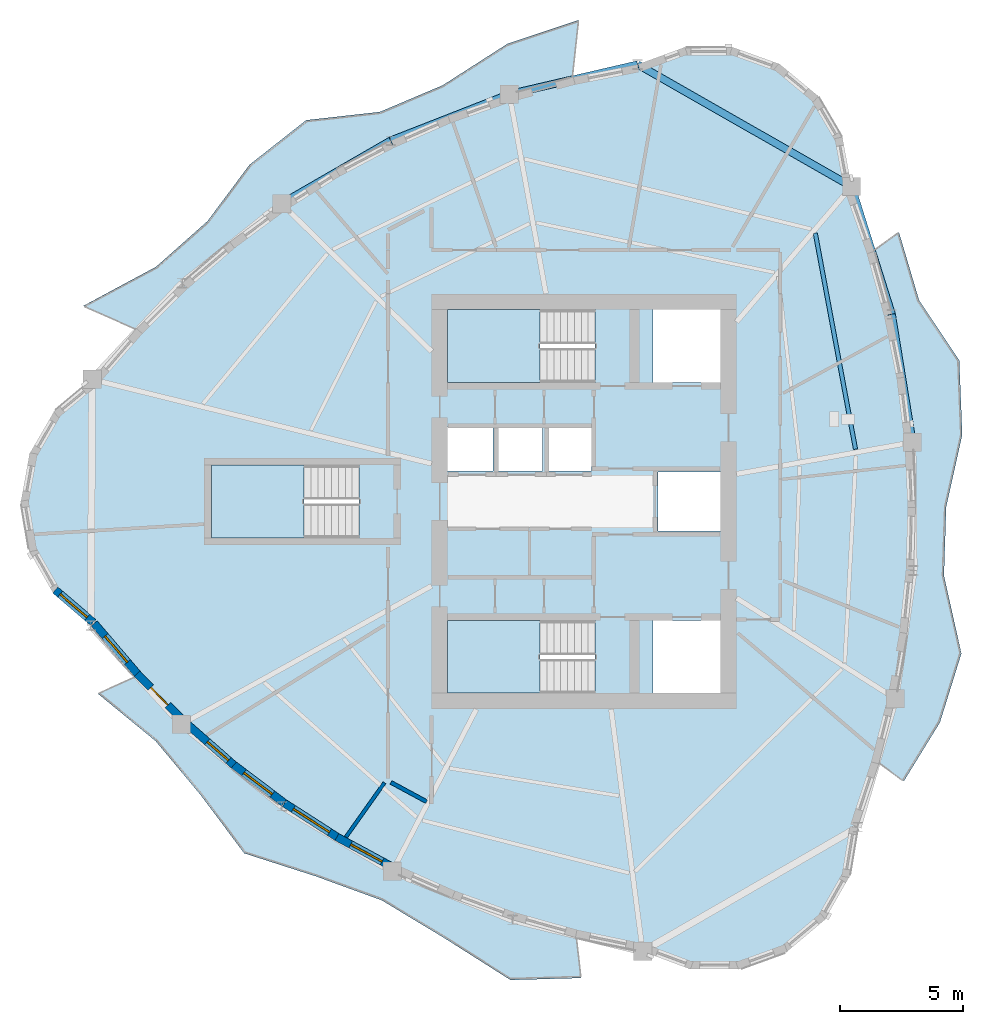
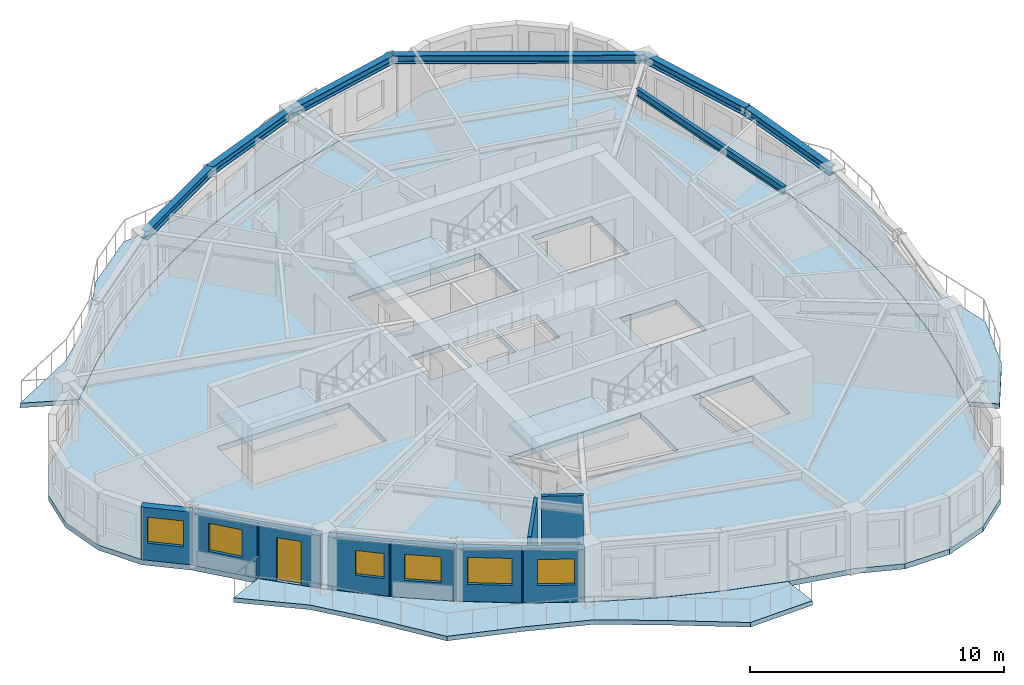
# One storey, part 2 of 12: 9 walls, 7 beams, 7 slabs, 6 windows, 1 door, 7 openings, 3 elements without a shape of their own.
"""IFC4 building model written with IfcOpenShell, lengths in metres."""

from ifc_helpers import new_model, si_unit, direction, frame, frame_2d, origin, origin_2d, place, context, subcontext, project, spatial, polyline, rectangle, i_section, outline, extrude, source, transform, mapped, material, layer, layer_set, material_profile, profile_set, type_object, element, fill, aggregate, save


model = new_model("IFC4")

# Units and contexts
model_context = context("Model", 3, precision=1e-05, world=origin(), true_north=direction((0.0, 1.0)))
body_context = subcontext(model_context, "Body", "Model", "MODEL_VIEW")
ifc_project = project(units=[si_unit("LENGTHUNIT", "METRE"), si_unit("AREAUNIT", "SQUARE_METRE"), si_unit("VOLUMEUNIT", "CUBIC_METRE"), si_unit("PLANEANGLEUNIT", "RADIAN"), si_unit("MASSUNIT", "GRAM", prefix="KILO")], contexts=[model_context])

# Site, building, storey
site_placement = place(None, origin())
site = spatial("IfcSite", under=ifc_project, at=site_placement, CompositionType="ELEMENT")
building_placement = place(site_placement, origin())
building = spatial("IfcBuilding", under=site, at=building_placement, Name="Qafzar Sky-Pleat Residences", CompositionType="ELEMENT")
storey_placement = place(building_placement, frame((0.0, 0.0, 181.0)))
storey = spatial("IfcBuildingStorey", under=building, at=storey_placement, Name="L54", CompositionType="ELEMENT", Elevation=181.0)

# Beams
ifc_material_1 = material(Name="Steel S355", Category="steel")
ifc_material_profile_1 = material_profile(ifc_material_1, i_section(OverallWidth=0.300048828125, OverallDepth=0.39990234375, WebThickness=0.013427734375, FlangeThickness=0.02392578125, FilletRadius=0.027099609375, at=origin_2d()), Name="HEB 400")
ifc_profile_set_1 = profile_set([ifc_material_profile_1], Name="Steel S355")
beam_type_1 = type_object("IfcBeamType", Name="BM-SPAN-HEB400", PredefinedType="SPANDREL", material=ifc_profile_set_1)
shared_shape_1 = source(origin(), body_context, "Body", "SweptSolid", [
    extrude(i_section(OverallWidth=0.300048828125, OverallDepth=0.39990234375, WebThickness=0.013427734375, FlangeThickness=0.02392578125, FilletRadius=0.027099609375, at=origin_2d()), origin(), (0.0, 0.0, 1.0), 10.017578125),
])
beam_1_placement = place(storey_placement, frame((41.22900390625, 38.8125, 2.748046875), z_axis=(-0.86844553877, 0.495784576394, 0.0), x_axis=(-0.495784576394, -0.86844553877, 0.0)))
element("IfcBeam", 1, at=beam_1_placement, inside=storey, type_object=beam_type_1, Name="L54 Perimeter Spandrel Beam 13", PredefinedType="SPANDREL", context=body_context, shape_type="MappedRepresentation", body=[
    mapped(shared_shape_1, transform((0.0, 0.0, 0.0), x_axis=(1.0, 0.0, 0.0), y_axis=(0.0, 1.0, 0.0), z_axis=(0.0, 0.0, 1.0), scale=1.0)),
])
shared_shape_2 = source(origin(), body_context, "Body", "SweptSolid", [
    extrude(i_section(OverallWidth=0.300048828125, OverallDepth=0.39990234375, WebThickness=0.013427734375, FlangeThickness=0.02392578125, FilletRadius=0.027099609375, at=origin_2d()), origin(), (0.0, 0.0, 1.0), 5.27294921875),
])
beam_2_placement = place(storey_placement, frame((43.70751953125, 28.410400390625, 2.748046875), z_axis=(-0.159877284529, 0.987136897239, 0.0), x_axis=(-0.987136897239, -0.159877284529, 0.0)))
element("IfcBeam", 2, at=beam_2_placement, inside=storey, type_object=beam_type_1, Name="L54 Perimeter Spandrel Beam 11", PredefinedType="SPANDREL", context=body_context, shape_type="MappedRepresentation", body=[
    mapped(shared_shape_2, transform((0.0, 0.0, 0.0), x_axis=(1.0, 0.0, 0.0), y_axis=(0.0, 1.0, 0.0), z_axis=(0.0, 0.0, 1.0), scale=1.0)),
])
shared_shape_3 = source(origin(), body_context, "Body", "SweptSolid", [
    extrude(i_section(OverallWidth=0.300048828125, OverallDepth=0.39990234375, WebThickness=0.013427734375, FlangeThickness=0.02392578125, FilletRadius=0.027099609375, at=origin_2d()), origin(), (0.0, 0.0, 1.0), 5.4482421875),
])
beam_3_placement = place(storey_placement, frame((42.864501953125, 33.615478515625, 2.748046875), z_axis=(-0.300185458928, 0.95388085747, 0.0), x_axis=(-0.95388085747, -0.300185458928, 0.0)))
element("IfcBeam", 3, at=beam_3_placement, inside=storey, type_object=beam_type_1, Name="L54 Perimeter Spandrel Beam 12", PredefinedType="SPANDREL", context=body_context, shape_type="MappedRepresentation", body=[
    mapped(shared_shape_3, transform((0.0, 0.0, 0.0), x_axis=(1.0, 0.0, 0.0), y_axis=(0.0, 1.0, 0.0), z_axis=(0.0, 0.0, 1.0), scale=1.0)),
])
shared_shape_4 = source(origin(), body_context, "Body", "SweptSolid", [
    extrude(i_section(OverallWidth=0.300048828125, OverallDepth=0.39990234375, WebThickness=0.013427734375, FlangeThickness=0.02392578125, FilletRadius=0.027099609375, at=origin_2d()), origin(), (0.0, 0.0, 1.0), 5.356201171875),
])
beam_4_placement = place(storey_placement, frame((32.529296875, 43.779052734375, 2.748046875), z_axis=(-0.974013405705, -0.226490365153, 0.0), x_axis=(0.226490365153, -0.974013405705, 0.0)))
element("IfcBeam", 4, at=beam_4_placement, inside=storey, type_object=beam_type_1, Name="L54 Perimeter Spandrel Beam 14", PredefinedType="SPANDREL", context=body_context, shape_type="MappedRepresentation", body=[
    mapped(shared_shape_4, transform((0.0, 0.0, 0.0), x_axis=(1.0, 0.0, 0.0), y_axis=(0.0, 1.0, 0.0), z_axis=(0.0, 0.0, 1.0), scale=1.0)),
])
shared_shape_5 = source(origin(), body_context, "Body", "SweptSolid", [
    extrude(i_section(OverallWidth=0.300048828125, OverallDepth=0.39990234375, WebThickness=0.013427734375, FlangeThickness=0.02392578125, FilletRadius=0.027099609375, at=origin_2d()), origin(), (0.0, 0.0, 1.0), 5.183837890625),
])
beam_5_placement = place(storey_placement, frame((27.312255859375, 42.56591796875, 2.748046875), z_axis=(-0.931323360566, -0.36419335258, 0.0), x_axis=(0.36419335258, -0.931323360566, 0.0)))
element("IfcBeam", 5, at=beam_5_placement, inside=storey, type_object=beam_type_1, Name="L54 Perimeter Spandrel Beam 15", PredefinedType="SPANDREL", context=body_context, shape_type="MappedRepresentation", body=[
    mapped(shared_shape_5, transform((0.0, 0.0, 0.0), x_axis=(1.0, 0.0, 0.0), y_axis=(0.0, 1.0, 0.0), z_axis=(0.0, 0.0, 1.0), scale=1.0)),
])
shared_shape_6 = source(origin(), body_context, "Body", "SweptSolid", [
    extrude(i_section(OverallWidth=0.300048828125, OverallDepth=0.39990234375, WebThickness=0.013427734375, FlangeThickness=0.02392578125, FilletRadius=0.027099609375, at=origin_2d()), origin(), (0.0, 0.0, 1.0), 5.124755859375),
])
beam_6_placement = place(storey_placement, frame((22.484375, 40.677978515625, 2.748046875), z_axis=(-0.866038823222, -0.499976756132, 0.0), x_axis=(0.499976756132, -0.866038823222, 0.0)))
element("IfcBeam", 6, at=beam_6_placement, inside=storey, type_object=beam_type_1, Name="L54 Perimeter Spandrel Beam 16", PredefinedType="SPANDREL", context=body_context, shape_type="MappedRepresentation", body=[
    mapped(shared_shape_6, transform((0.0, 0.0, 0.0), x_axis=(1.0, 0.0, 0.0), y_axis=(0.0, 1.0, 0.0), z_axis=(0.0, 0.0, 1.0), scale=1.0)),
])
ifc_material_profile_2 = material_profile(ifc_material_1, i_section(OverallWidth=0.169921875, OverallDepth=0.360107421875, WebThickness=0.008056640625, FlangeThickness=0.0126953125, FilletRadius=0.01806640625, at=origin_2d()), Name="IPE 360")
ifc_profile_set_2 = profile_set([ifc_material_profile_2], Name="Steel S355")
beam_type_2 = type_object("IfcBeamType", Name="BM-JST-IPE360", PredefinedType="JOIST", material=ifc_profile_set_2)
shared_shape_7 = source(origin(), body_context, "Body", "SweptSolid", [
    extrude(i_section(OverallWidth=0.169921875, OverallDepth=0.360107421875, WebThickness=0.008056640625, FlangeThickness=0.0126953125, FilletRadius=0.01806640625, at=origin_2d()), origin(), (0.0, 0.0, 1.0), 8.9375),
])
beam_7_placement = place(storey_placement, frame((41.392333984375, 28.1298828125, 2.76806640625), z_axis=(-0.183018436338, 0.983109481167, 0.0), x_axis=(-0.983109481167, -0.183018436338, 0.0)))
element("IfcBeam", 7, at=beam_7_placement, inside=storey, type_object=beam_type_2, Name="L54 Outer Secondary Floor Joist 6", PredefinedType="JOIST", context=body_context, shape_type="MappedRepresentation", body=[
    mapped(shared_shape_7, transform((0.0, 0.0, 0.0), x_axis=(1.0, 0.0, 0.0), y_axis=(0.0, 1.0, 0.0), z_axis=(0.0, 0.0, 1.0), scale=1.0)),
])

# Slabs
ifc_material_2 = material(Name="Concrete C40/50", Category="concrete")
ifc_layer_1 = layer(ifc_material_2, 0.219970703125)
ifc_layer_set_1 = layer_set([ifc_layer_1], Name="Concrete C40/50")
slab_type_1 = type_object("IfcSlabType", Name="SLAB-BAL-220", PredefinedType="USERDEFINED", material=ifc_layer_set_1)
slab_1_placement = place(storey_placement, frame((0.0, 0.0, -0.219970703125)))
element("IfcSlab", 8, at=slab_1_placement, inside=storey, type_object=slab_type_1, Name="L54 Pleated Stone Balcony 1", ObjectType="BALCONY", PredefinedType="USERDEFINED", context=body_context, shape_type="SweptSolid", body=[
    extrude(outline(polyline([(43.027099609375, 17.9716796875), (43.497802734375, 20.58447265625), (43.77001953125, 23.195556640625), (43.843994140625, 25.804931640625), (43.719482421875, 28.412109375), (43.396484375, 31.017578125), (42.875, 33.620849609375), (42.155517578125, 36.221923828125), (43.1591796875, 36.94677734375), (43.976806640625, 34.185302734375), (45.612548828125, 31.73974609375), (45.73388671875, 28.72119140625), (45.081787109375, 25.78955078125), (44.989013671875, 22.978759765625), (45.697998046875, 19.815673828125), (44.82470703125, 17.011474609375), (43.352783203125, 14.619873046875), (42.358154296875, 15.357177734375), (43.027099609375, 17.9716796875)])), origin(), (0.0, 0.0, 1.0), 0.219970703125),
])
slab_2_placement = place(storey_placement, frame((0.0, 0.0, -0.219970703125)))
element("IfcSlab", 9, at=slab_2_placement, inside=storey, type_object=slab_type_1, Name="L54 Pleated Stone Balcony 2", ObjectType="BALCONY", PredefinedType="USERDEFINED", context=body_context, shape_type="SweptSolid", body=[
    extrude(outline(polyline([(27.311767578125, 42.577880859375), (24.84716796875, 41.71826171875), (22.480224609375, 40.689208984375), (20.210693359375, 39.49169921875), (18.03857421875, 38.125), (15.964111328125, 36.58935546875), (13.9873046875, 34.885009765625), (12.108154296875, 33.011962890625), (9.9755859375, 33.952880859375), (12.941650390625, 35.548095703125), (15.03466796875, 37.4072265625), (16.744873046875, 39.69970703125), (19.045166015625, 41.510009765625), (22.044677734375, 41.84814453125), (24.603759765625, 42.931884765625), (27.227294921875, 44.614013671875), (30.124755859375, 45.586181640625), (29.873291015625, 43.268798828125), (27.311767578125, 42.577880859375)])), origin(), (0.0, 0.0, 1.0), 0.219970703125),
])
slab_3_placement = place(storey_placement, frame((0.0, 0.0, -0.219970703125)))
element("IfcSlab", 10, at=slab_3_placement, inside=storey, type_object=slab_type_1, Name="L54 Pleated Stone Balcony 3", ObjectType="BALCONY", PredefinedType="USERDEFINED", context=body_context, shape_type="SweptSolid", body=[
    extrude(outline(polyline([(13.962646484375, 16.92822265625), (15.95654296875, 15.175048828125), (18.05126953125, 13.5927734375), (20.2470703125, 12.18115234375), (22.543701171875, 10.940673828125), (24.941162109375, 9.870849609375), (27.439208984375, 8.971923828125), (30.037841796875, 8.243896484375), (30.224609375, 6.61669921875), (27.35888671875, 6.535400390625), (24.635986328125, 8.26171875), (22.121826171875, 9.776611328125), (19.445556640625, 10.752685546875), (16.526123046875, 11.690673828125), (14.73828125, 14.080078125), (12.9228515625, 16.256103515625), (10.5751953125, 18.181396484375), (12.06982421875, 18.851806640625), (13.962646484375, 16.92822265625)])), origin(), (0.0, 0.0, 1.0), 0.219970703125),
])
ifc_layer_2 = layer(ifc_material_2, 0.25)
ifc_layer_set_2 = layer_set([ifc_layer_2], Name="Concrete C40/50")
slab_type_2 = type_object("IfcSlabType", Name="SLAB-FLR-250", PredefinedType="FLOOR", material=ifc_layer_set_2)
slab_4_placement = place(storey_placement, frame((0.0, 0.0, -0.25)))
element("IfcSlab", 11, at=slab_4_placement, inside=storey, type_object=slab_type_2, Name="L54 Structural Floor Slab", PredefinedType="FLOOR", context=body_context, shape_type="SweptSolid", body=[
    extrude(outline(polyline([(10.338134765625, 30.967041015625), (8.801025390625, 29.679443359375), (7.79443359375, 27.9453125), (7.438232421875, 25.972412109375), (7.775146484375, 23.99560546875), (8.764892578125, 22.251953125), (10.289306640625, 20.94970703125), (12.080810546875, 18.856689453125), (13.97265625, 16.934814453125), (15.96533203125, 15.18310546875), (18.058837890625, 13.60205078125), (20.2529296875, 12.191650390625), (22.547607421875, 10.951904296875), (24.943359375, 9.8828125), (27.439453125, 8.98388671875), (30.03662109375, 8.255859375), (32.734130859375, 7.698486328125), (34.638671875, 6.98779296875), (36.67138671875, 6.977783203125), (38.582763671875, 7.669921875), (40.137939453125, 8.979248046875), (41.145751953125, 10.74462890625), (41.482666015625, 12.749267578125), (42.3486328125, 15.3642578125), (43.0166015625, 17.977294921875), (43.486328125, 20.58837890625), (43.75830078125, 23.19775390625), (43.831787109375, 25.804931640625), (43.70751953125, 28.410400390625), (43.385009765625, 31.013916015625), (42.864501953125, 33.615478515625), (42.145751953125, 36.21484375), (41.22900390625, 38.8125), (40.86328125, 40.783935546875), (39.84814453125, 42.51318359375), (38.304931640625, 43.793212890625), (36.41796875, 44.47119140625), (34.4130859375, 44.46630859375), (32.529296875, 43.779052734375), (29.8720703125, 43.2568359375), (27.312255859375, 42.56591796875), (24.849609375, 41.706298828125), (22.484375, 40.677978515625), (20.216552734375, 39.481201171875), (18.046142578125, 38.11572265625), (15.97314453125, 36.58154296875), (13.997314453125, 34.878662109375), (12.119140625, 33.007080078125), (10.338134765625, 30.967041015625)]), holes=[polyline([(30.797119140625, 21.14990234375), (24.800048828125, 21.14990234375), (24.800048828125, 18.199951171875), (30.797119140625, 18.199951171875), (30.797119140625, 21.14990234375)]), polyline([(30.797119140625, 33.800048828125), (24.800048828125, 33.800048828125), (24.800048828125, 30.85009765625), (30.797119140625, 30.85009765625), (30.797119140625, 33.800048828125)]), polyline([(21.197021484375, 27.47509765625), (15.199951171875, 27.47509765625), (15.199951171875, 24.52490234375), (21.197021484375, 24.52490234375), (21.197021484375, 27.47509765625)]), polyline([(24.800048828125, 27.25), (26.64990234375, 27.25), (26.64990234375, 29.050048828125), (24.800048828125, 29.050048828125), (24.800048828125, 27.25)]), polyline([(26.800048828125, 27.25), (28.64990234375, 27.25), (28.64990234375, 29.050048828125), (26.800048828125, 29.050048828125), (26.800048828125, 27.25)]), polyline([(28.800048828125, 27.25), (30.64990234375, 27.25), (30.64990234375, 29.050048828125), (28.800048828125, 29.050048828125), (28.800048828125, 27.25)]), polyline([(33.14990234375, 18.199951171875), (35.89990234375, 18.199951171875), (35.89990234375, 21.14990234375), (33.14990234375, 21.14990234375), (33.14990234375, 18.199951171875)]), polyline([(33.14990234375, 30.85009765625), (35.89990234375, 30.85009765625), (35.89990234375, 33.800048828125), (33.14990234375, 33.800048828125), (33.14990234375, 30.85009765625)]), polyline([(33.35009765625, 24.800048828125), (35.89990234375, 24.800048828125), (35.89990234375, 27.199951171875), (33.35009765625, 27.199951171875), (33.35009765625, 24.800048828125)])]), origin(), (0.0, 0.0, 1.0), 0.25),
])

# Stair, slab
stair_type = type_object("IfcStairType", Name="STAIR-H320", PredefinedType="HALF_TURN_STAIR", material=ifc_material_2)
stair_1_placement = place(storey_placement, origin())
stair_1 = element("IfcStair", 12, at=stair_1_placement, inside=storey, type_object=stair_type, Name="L54 Protected Exit Stair ST1", PredefinedType="HALF_TURN_STAIR")
ifc_layer_3 = layer(ifc_material_2, 0.199951171875)
ifc_layer_set_3 = layer_set([ifc_layer_3], Name="Concrete C40/50")
slab_type_3 = type_object("IfcSlabType", Name="SLAB-LANDING-200", PredefinedType="LANDING", material=ifc_layer_set_3)
slab_5_placement = place(storey_placement, frame((0.0, 0.0, 1.39990234375)))
slab_5 = element("IfcSlab", 13, at=slab_5_placement, type_object=slab_type_3, Name="ST1 landing 1", PredefinedType="LANDING", context=body_context, shape_type="SweptSolid", body=[
    extrude(outline(polyline([(28.56005859375, 21.14990234375), (24.800048828125, 21.14990234375), (24.800048828125, 18.199951171875), (28.56005859375, 18.199951171875), (28.56005859375, 21.14990234375)])), origin(), (0.0, 0.0, 1.0), 0.2001953125),
])
aggregate(stair_1, [slab_5])

stair_2_placement = place(storey_placement, origin())
stair_2 = element("IfcStair", 14, at=stair_2_placement, inside=storey, type_object=stair_type, Name="L54 Protected Exit Stair ST2", PredefinedType="HALF_TURN_STAIR")
slab_6_placement = place(storey_placement, frame((0.0, 0.0, 1.39990234375)))
slab_6 = element("IfcSlab", 15, at=slab_6_placement, type_object=slab_type_3, Name="ST2 landing 1", PredefinedType="LANDING", context=body_context, shape_type="SweptSolid", body=[
    extrude(outline(polyline([(28.56005859375, 33.800048828125), (24.800048828125, 33.800048828125), (24.800048828125, 30.85009765625), (28.56005859375, 30.85009765625), (28.56005859375, 33.800048828125)])), origin(), (0.0, 0.0, 1.0), 0.2001953125),
])
aggregate(stair_2, [slab_6])

stair_3_placement = place(storey_placement, origin())
stair_3 = element("IfcStair", 16, at=stair_3_placement, inside=storey, type_object=stair_type, Name="L54 Protected Exit Stair ST3", PredefinedType="HALF_TURN_STAIR")
slab_7_placement = place(storey_placement, frame((0.0, 0.0, 1.39990234375)))
slab_7 = element("IfcSlab", 17, at=slab_7_placement, type_object=slab_type_3, Name="ST3 landing 1", PredefinedType="LANDING", context=body_context, shape_type="SweptSolid", body=[
    extrude(outline(polyline([(18.9599609375, 27.47509765625), (15.199951171875, 27.47509765625), (15.199951171875, 24.52490234375), (18.9599609375, 24.52490234375), (18.9599609375, 27.47509765625)])), origin(), (0.0, 0.0, 1.0), 0.2001953125),
])
aggregate(stair_3, [slab_7])

# Walls
ifc_material_3 = material(Name="Acoustic gypsum plasterboard partition", Category="gypsum")
ifc_layer_4 = layer(ifc_material_3, 0.159912109375)
ifc_layer_set_4 = layer_set([ifc_layer_4], Name="Acoustic gypsum plasterboard partition")
wall_type_1 = type_object("IfcWallType", Name="PART-COR-160", PredefinedType="PARTITIONING", material=ifc_layer_set_4)
wall_1_placement = place(storey_placement, frame((22.4951171875, 14.572509765625, 0.0), z_axis=(0.0, 0.0, 1.0), x_axis=(0.879785217584, -0.475371403137, 0.0)))
element("IfcWall", 18, at=wall_1_placement, inside=storey, type_object=wall_type_1, Name="L54 Partition Wall PART-L54-PW-023", PredefinedType="PARTITIONING", context=body_context, shape_type="SweptSolid", body=[
    extrude(rectangle(XDim=1.648193359375, YDim=0.159912109375, at=frame_2d((0.82421875, 0.0))), origin(), (0.0, 0.0, 1.0), 2.949951171875),
])
ifc_layer_5 = layer(ifc_material_3, 0.14501953125)
ifc_layer_set_5 = layer_set([ifc_layer_5], Name="Acoustic gypsum plasterboard partition")
wall_type_2 = type_object("IfcWallType", Name="PART-UNIT-145", PredefinedType="PARTITIONING", material=ifc_layer_set_5)
wall_2_placement = place(storey_placement, frame((20.663818359375, 12.352294921875, 0.0), z_axis=(0.0, 0.0, 1.0), x_axis=(0.578847584957, 0.815435756752, 0.0)))
element("IfcWall", 19, at=wall_2_placement, inside=storey, type_object=wall_type_2, Name="L54 Partition Wall PART-L54-PW-022", PredefinedType="PARTITIONING", context=body_context, shape_type="SweptSolid", body=[
    extrude(rectangle(XDim=2.707763671875, YDim=0.14501953125, at=frame_2d((1.35400390625, 0.0))), origin(), (0.0, 0.0, 1.0), 2.949951171875),
])

# Wall, opening, window
ifc_material_4 = material(Name="Precast concrete C40/50 with honed Riyadh limestone", Category="concrete")
ifc_layer_6 = layer(ifc_material_4, 0.320068359375)
ifc_layer_set_6 = layer_set([ifc_layer_6], Name="Precast concrete C40/50 with honed Riyadh limestone")
wall_type_3 = type_object("IfcWallType", Name="WALL-EXT-320", PredefinedType="SOLIDWALL", material=ifc_layer_set_6)
wall_3_placement = place(storey_placement, frame((8.840087890625, 22.398193359375, 0.0), z_axis=(0.0, 0.0, 1.0), x_axis=(0.760328975209, -0.649538181678, 0.0)))
wall_3 = element("IfcWall", 20, at=wall_3_placement, inside=storey, type_object=wall_type_3, Name="L54 Limestone Facade Wall 6", PredefinedType="SOLIDWALL", context=body_context, shape_type="SweptSolid", body=[
    extrude(rectangle(XDim=2.02294921875, YDim=0.320068359375, at=frame_2d((1.011474609375, 0.0))), origin(), (0.0, 0.0, 1.0), 2.530029296875),
])
opening_1_placement = place(wall_3_placement, frame((0.256591796875, 0.0, 0.820068359375)))
opening_1 = element("IfcOpeningElement", 21, at=opening_1_placement, cuts=wall_3, Name="Opening WN-15", PredefinedType="OPENING", context=body_context, shape_type="SweptSolid", body=[
    extrude(rectangle(XDim=1.449951171875, YDim=1.25, at=frame_2d((0.72509765625, 0.625))), frame((0.0, 0.169921875, 0.0), z_axis=(0.0, -1.0, 0.0), x_axis=(1.0, 0.0, 0.0)), (0.0, 0.0, 1.0), 0.340087890625),
])
ifc_material_5 = material(Name="Solar-control low-E glass in bronze aluminium frame", Category="glass")
window_type_1 = type_object("IfcWindowType", Name="WIN-15", PartitioningType="SINGLE_PANEL", PredefinedType="WINDOW", material=ifc_material_5)
shared_shape_8 = source(origin(), body_context, "Body", "SweptSolid", [
    extrude(rectangle(XDim=1.449951171875, YDim=1.25, at=frame_2d((0.72509765625, 0.625))), frame((0.0, 0.030029296875, 0.0), z_axis=(0.0, -1.0, 0.0), x_axis=(1.0, 0.0, 0.0)), (0.0, 0.0, 1.0), 0.06005859375),
])
window_1_placement = place(opening_1_placement, origin())
window_1 = element("IfcWindow", 22, at=window_1_placement, inside=storey, type_object=window_type_1, Name="L54 Punched Facade Window 06", OverallHeight=1.25, OverallWidth=1.449951171875, PartitioningType="SINGLE_PANEL", PredefinedType="WINDOW", context=body_context, shape_type="MappedRepresentation", body=[
    mapped(shared_shape_8, transform((0.0, 0.0, 0.0), x_axis=(1.0, 0.0, 0.0), y_axis=(0.0, 1.0, 0.0), z_axis=(0.0, 0.0, 1.0), scale=1.0)),
])
fill(opening_1, window_1)

wall_4_placement = place(storey_placement, frame((10.424072265625, 21.038330078125, 0.0), z_axis=(0.0, 0.0, 1.0), x_axis=(0.650261869135, -0.759710143114, 0.0)))
wall_4 = element("IfcWall", 23, at=wall_4_placement, inside=storey, type_object=wall_type_3, Name="L54 Limestone Facade Wall 7", PredefinedType="SOLIDWALL", context=body_context, shape_type="SweptSolid", body=[
    extrude(rectangle(XDim=2.772705078125, YDim=0.320068359375, at=frame_2d((1.38623046875, 0.0))), origin(), (0.0, 0.0, 1.0), 2.530029296875),
])
opening_2_placement = place(wall_4_placement, frame((0.676513671875, 0.0, 0.820068359375)))
opening_2 = element("IfcOpeningElement", 24, at=opening_2_placement, cuts=wall_4, Name="Opening WN-10", PredefinedType="OPENING", context=body_context, shape_type="SweptSolid", body=[
    extrude(rectangle(XDim=1.39990234375, YDim=1.35009765625, at=frame_2d((0.699951171875, 0.675048828125))), frame((0.0, 0.169921875, 0.0), z_axis=(0.0, -1.0, 0.0), x_axis=(1.0, 0.0, 0.0)), (0.0, 0.0, 1.0), 0.340087890625),
])
window_type_2 = type_object("IfcWindowType", Name="WIN-10", PartitioningType="SINGLE_PANEL", PredefinedType="WINDOW", material=ifc_material_5)
shared_shape_9 = source(origin(), body_context, "Body", "SweptSolid", [
    extrude(rectangle(XDim=1.39990234375, YDim=1.35009765625, at=frame_2d((0.699951171875, 0.675048828125))), frame((0.0, 0.030029296875, 0.0), z_axis=(0.0, -1.0, 0.0), x_axis=(1.0, 0.0, 0.0)), (0.0, 0.0, 1.0), 0.06005859375),
])
window_2_placement = place(opening_2_placement, origin())
window_2 = element("IfcWindow", 25, at=window_2_placement, inside=storey, type_object=window_type_2, Name="L54 Punched Facade Window 07", OverallHeight=1.35009765625, OverallWidth=1.39990234375, PartitioningType="SINGLE_PANEL", PredefinedType="WINDOW", context=body_context, shape_type="MappedRepresentation", body=[
    mapped(shared_shape_9, transform((0.0, 0.0, 0.0), x_axis=(1.0, 0.0, 0.0), y_axis=(0.0, 1.0, 0.0), z_axis=(0.0, 0.0, 1.0), scale=1.0)),
])
fill(opening_2, window_2)

# Wall, opening, door
wall_5_placement = place(storey_placement, frame((12.168212890625, 18.99609375, 0.0), z_axis=(0.0, 0.0, 1.0), x_axis=(0.701479569818, -0.712689562943, 0.0)))
wall_5 = element("IfcWall", 26, at=wall_5_placement, inside=storey, type_object=wall_type_3, Name="L54 Limestone Facade Wall 8", PredefinedType="SOLIDWALL", context=body_context, shape_type="SweptSolid", body=[
    extrude(rectangle(XDim=2.56982421875, YDim=0.320068359375, at=frame_2d((1.284912109375, 0.0))), origin(), (0.0, 0.0, 1.0), 2.530029296875),
])
opening_3_placement = place(wall_5_placement, frame((0.7900390625, 0.0, 0.0)))
opening_3 = element("IfcOpeningElement", 27, at=opening_3_placement, cuts=wall_5, Name="Opening ED-05", PredefinedType="OPENING", context=body_context, shape_type="SweptSolid", body=[
    extrude(rectangle(XDim=1.0, YDim=2.10009765625, at=frame_2d((0.5, 1.050048828125))), frame((0.0, 0.169921875, 0.0), z_axis=(0.0, -1.0, 0.0), x_axis=(1.0, 0.0, 0.0)), (0.0, 0.0, 1.0), 0.340087890625),
])
ifc_material_6 = material(Name="Glazed bronze aluminium door", Category="aluminium")
door_type = type_object("IfcDoorType", Name="DR-BAL-1000", OperationType="NOTDEFINED", PredefinedType="DOOR", material=ifc_material_6)
shared_shape_10 = source(origin(), body_context, "Body", "SweptSolid", [
    extrude(rectangle(XDim=1.0, YDim=2.10009765625, at=frame_2d((0.5, 1.050048828125))), frame((0.0, 0.02490234375, 0.0), z_axis=(0.0, -1.0, 0.0), x_axis=(1.0, 0.0, 0.0)), (0.0, 0.0, 1.0), 0.050048828125),
])
door_placement = place(opening_3_placement, origin())
door = element("IfcDoor", 28, at=door_placement, inside=storey, type_object=door_type, Name="L54 Glazed Balcony Door 3", OperationType="SINGLE_SWING_RIGHT", OverallHeight=2.10009765625, OverallWidth=1.0, PredefinedType="DOOR", context=body_context, shape_type="MappedRepresentation", body=[
    mapped(shared_shape_10, transform((0.0, 0.0, 0.0), x_axis=(1.0, 0.0, 0.0), y_axis=(0.0, 1.0, 0.0), z_axis=(0.0, 0.0, 1.0), scale=1.0)),
])
fill(opening_3, door)

# Wall, opening, window
wall_6_placement = place(storey_placement, frame((14.202392578125, 16.94580078125, 0.0), z_axis=(0.0, 0.0, 1.0), x_axis=(0.751119873672, -0.660165839297, 0.0)))
wall_6 = element("IfcWall", 29, at=wall_6_placement, inside=storey, type_object=wall_type_3, Name="L54 Limestone Facade Wall 9", PredefinedType="SOLIDWALL", context=body_context, shape_type="SweptSolid", body=[
    extrude(rectangle(XDim=2.52587890625, YDim=0.320068359375, at=frame_2d((1.262939453125, 0.0))), origin(), (0.0, 0.0, 1.0), 2.530029296875),
])
opening_4_placement = place(wall_6_placement, frame((1.091796875, 0.0, 0.820068359375)))
opening_4 = element("IfcOpeningElement", 30, at=opening_4_placement, cuts=wall_6, Name="Opening WN-16", PredefinedType="OPENING", context=body_context, shape_type="SweptSolid", body=[
    extrude(rectangle(XDim=1.14990234375, YDim=1.199951171875, at=frame_2d((0.574951171875, 0.60009765625))), frame((0.0, 0.169921875, 0.0), z_axis=(0.0, -1.0, 0.0), x_axis=(1.0, 0.0, 0.0)), (0.0, 0.0, 1.0), 0.340087890625),
])
window_type_3 = type_object("IfcWindowType", Name="WIN-16", PartitioningType="SINGLE_PANEL", PredefinedType="WINDOW", material=ifc_material_5)
shared_shape_11 = source(origin(), body_context, "Body", "SweptSolid", [
    extrude(rectangle(XDim=1.14990234375, YDim=1.199951171875, at=frame_2d((0.574951171875, 0.60009765625))), frame((0.0, 0.030029296875, 0.0), z_axis=(0.0, -1.0, 0.0), x_axis=(1.0, 0.0, 0.0)), (0.0, 0.0, 1.0), 0.06005859375),
])
window_3_placement = place(opening_4_placement, origin())
window_3 = element("IfcWindow", 31, at=window_3_placement, inside=storey, type_object=window_type_3, Name="L54 Punched Facade Window 09-2", OverallHeight=1.199951171875, OverallWidth=1.14990234375, PartitioningType="SINGLE_PANEL", PredefinedType="WINDOW", context=body_context, shape_type="MappedRepresentation", body=[
    mapped(shared_shape_11, transform((0.0, 0.0, 0.0), x_axis=(1.0, 0.0, 0.0), y_axis=(0.0, 1.0, 0.0), z_axis=(0.0, 0.0, 1.0), scale=1.0)),
])
fill(opening_4, window_3)

wall_7_placement = place(storey_placement, frame((16.031494140625, 15.333740234375, 0.0), z_axis=(0.0, 0.0, 1.0), x_axis=(0.797976962718, -0.602687951573, 0.0)))
wall_7 = element("IfcWall", 32, at=wall_7_placement, inside=storey, type_object=wall_type_3, Name="L54 Limestone Facade Wall 10", PredefinedType="SOLIDWALL", context=body_context, shape_type="SweptSolid", body=[
    extrude(rectangle(XDim=2.6416015625, YDim=0.320068359375, at=frame_2d((1.32080078125, 0.0))), origin(), (0.0, 0.0, 1.0), 2.530029296875),
])
opening_5_placement = place(wall_7_placement, frame((0.605712890625, 0.0, 0.820068359375)))
opening_5 = element("IfcOpeningElement", 33, at=opening_5_placement, cuts=wall_7, Name="Opening WN-15", PredefinedType="OPENING", context=body_context, shape_type="SweptSolid", body=[
    extrude(rectangle(XDim=1.449951171875, YDim=1.25, at=frame_2d((0.72509765625, 0.625))), frame((0.0, 0.169921875, 0.0), z_axis=(0.0, -1.0, 0.0), x_axis=(1.0, 0.0, 0.0)), (0.0, 0.0, 1.0), 0.340087890625),
])
window_4_placement = place(opening_5_placement, origin())
window_4 = element("IfcWindow", 34, at=window_4_placement, inside=storey, type_object=window_type_1, Name="L54 Punched Facade Window 10", OverallHeight=1.25, OverallWidth=1.449951171875, PartitioningType="SINGLE_PANEL", PredefinedType="WINDOW", context=body_context, shape_type="MappedRepresentation", body=[
    mapped(shared_shape_8, transform((0.0, 0.0, 0.0), x_axis=(1.0, 0.0, 0.0), y_axis=(0.0, 1.0, 0.0), z_axis=(0.0, 0.0, 1.0), scale=1.0)),
])
fill(opening_5, window_4)

wall_8_placement = place(storey_placement, frame((18.162109375, 13.725830078125, 0.0), z_axis=(0.0, 0.0, 1.0), x_axis=(0.841187536261, -0.540743496345, 0.0)))
wall_8 = element("IfcWall", 35, at=wall_8_placement, inside=storey, type_object=wall_type_3, Name="L54 Limestone Facade Wall 11", PredefinedType="SOLIDWALL", context=body_context, shape_type="SweptSolid", body=[
    extrude(rectangle(XDim=2.626220703125, YDim=0.320068359375, at=frame_2d((1.31298828125, 0.0))), origin(), (0.0, 0.0, 1.0), 2.530029296875),
])
opening_6_placement = place(wall_8_placement, frame((0.42822265625, 0.0, 0.820068359375)))
opening_6 = element("IfcOpeningElement", 36, at=opening_6_placement, cuts=wall_8, Name="Opening WN-14", PredefinedType="OPENING", context=body_context, shape_type="SweptSolid", body=[
    extrude(rectangle(XDim=1.75, YDim=1.300048828125, at=frame_2d((0.875, 0.64990234375))), frame((0.0, 0.169921875, 0.0), z_axis=(0.0, -1.0, 0.0), x_axis=(1.0, 0.0, 0.0)), (0.0, 0.0, 1.0), 0.340087890625),
])
window_type_4 = type_object("IfcWindowType", Name="WIN-14", PartitioningType="DOUBLE_PANEL_VERTICAL", PredefinedType="WINDOW", material=ifc_material_5)
shared_shape_12 = source(origin(), body_context, "Body", "SweptSolid", [
    extrude(rectangle(XDim=1.75, YDim=1.300048828125, at=frame_2d((0.875, 0.64990234375))), frame((0.0, 0.030029296875, 0.0), z_axis=(0.0, -1.0, 0.0), x_axis=(1.0, 0.0, 0.0)), (0.0, 0.0, 1.0), 0.06005859375),
])
window_5_placement = place(opening_6_placement, origin())
window_5 = element("IfcWindow", 37, at=window_5_placement, inside=storey, type_object=window_type_4, Name="L54 Punched Facade Window 11", OverallHeight=1.300048828125, OverallWidth=1.75, PartitioningType="SINGLE_PANEL", PredefinedType="WINDOW", context=body_context, shape_type="MappedRepresentation", body=[
    mapped(shared_shape_12, transform((0.0, 0.0, 0.0), x_axis=(1.0, 0.0, 0.0), y_axis=(0.0, 1.0, 0.0), z_axis=(0.0, 0.0, 1.0), scale=1.0)),
])
fill(opening_6, window_5)

wall_9_placement = place(storey_placement, frame((20.29541015625, 12.3505859375, 0.0), z_axis=(0.0, 0.0, 1.0), x_axis=(0.879809944858, -0.475325636726, 0.0)))
wall_9 = element("IfcWall", 38, at=wall_9_placement, inside=storey, type_object=wall_type_3, Name="L54 Limestone Facade Wall 12", PredefinedType="SOLIDWALL", context=body_context, shape_type="SweptSolid", body=[
    extrude(rectangle(XDim=2.4814453125, YDim=0.320068359375, at=frame_2d((1.24072265625, 0.0))), origin(), (0.0, 0.0, 1.0), 2.530029296875),
])
opening_7_placement = place(wall_9_placement, frame((0.640625, 0.0, 0.820068359375)))
opening_7 = element("IfcOpeningElement", 39, at=opening_7_placement, cuts=wall_9, Name="Opening WN-15", PredefinedType="OPENING", context=body_context, shape_type="SweptSolid", body=[
    extrude(rectangle(XDim=1.449951171875, YDim=1.25, at=frame_2d((0.72509765625, 0.625))), frame((0.0, 0.169921875, 0.0), z_axis=(0.0, -1.0, 0.0), x_axis=(1.0, 0.0, 0.0)), (0.0, 0.0, 1.0), 0.340087890625),
])
window_6_placement = place(opening_7_placement, origin())
window_6 = element("IfcWindow", 40, at=window_6_placement, inside=storey, type_object=window_type_1, Name="L54 Punched Facade Window 12", OverallHeight=1.25, OverallWidth=1.449951171875, PartitioningType="SINGLE_PANEL", PredefinedType="WINDOW", context=body_context, shape_type="MappedRepresentation", body=[
    mapped(shared_shape_8, transform((0.0, 0.0, 0.0), x_axis=(1.0, 0.0, 0.0), y_axis=(0.0, 1.0, 0.0), z_axis=(0.0, 0.0, 1.0), scale=1.0)),
])
fill(opening_7, window_6)

save(model, "model.ifc")
